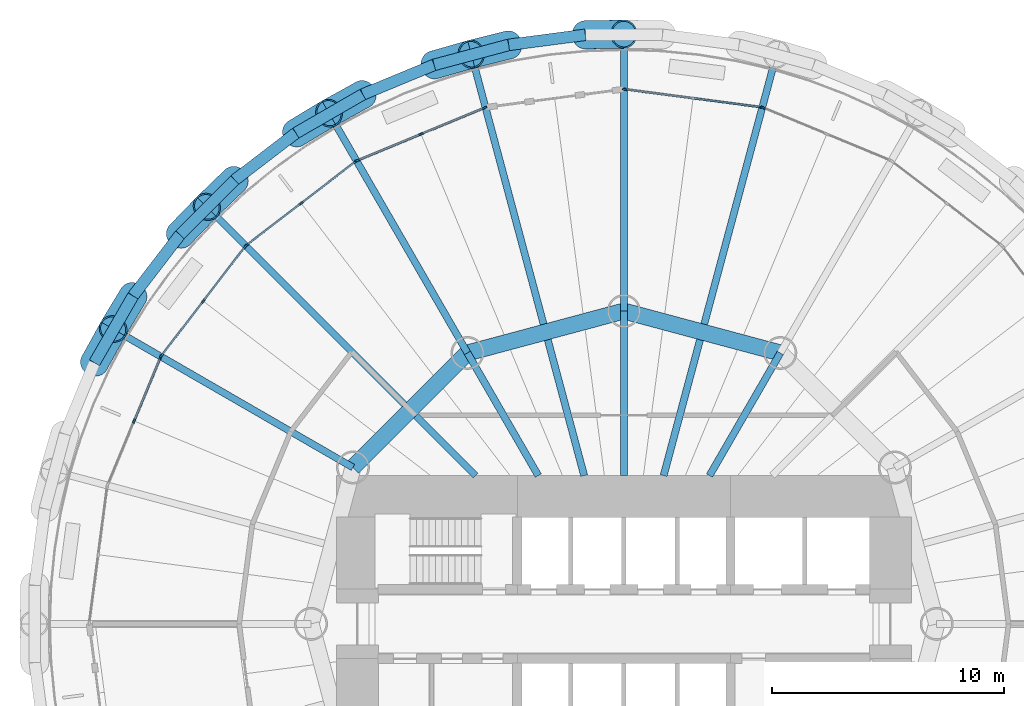
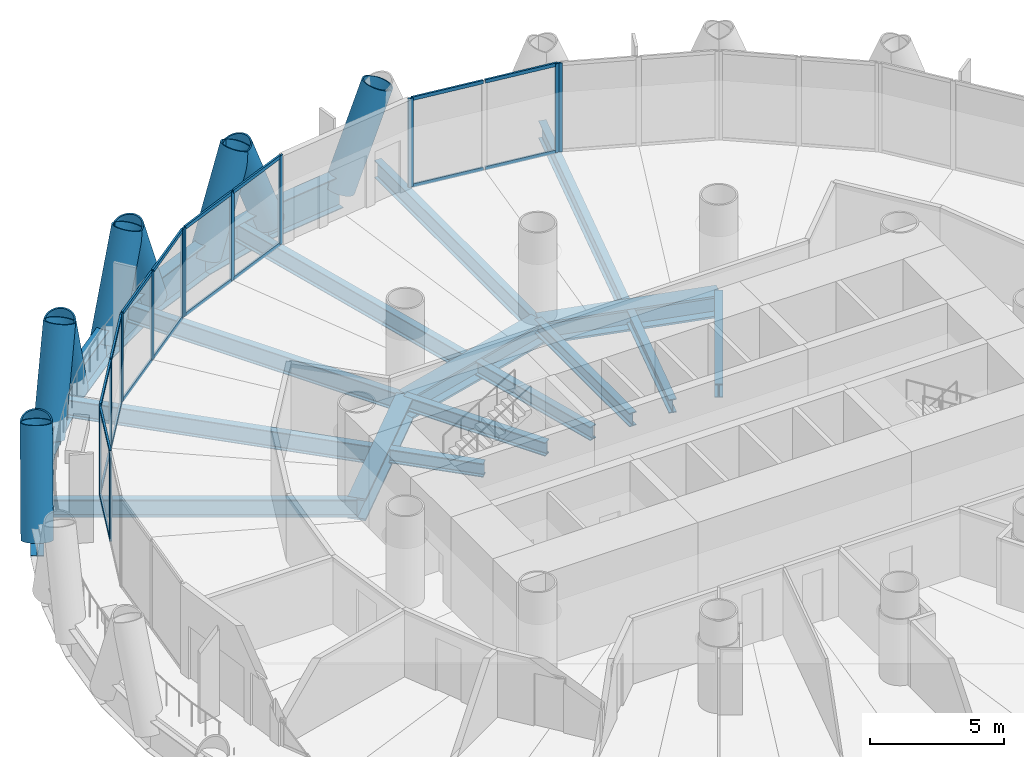
# One storey, part 6 of 16: 41 members, 23 beams, 6 elements without a shape of their own.
"""IFC4 building model written with IfcOpenShell, lengths in metres."""

from ifc_helpers import new_model, si_unit, direction, frame, origin, origin_2d, place, context, subcontext, project, spatial, rectangle, hollow_circle, i_section, extrude, material, material_profile, profile_set, type_object, element, aggregate, save


model = new_model("IFC4")

# Units and contexts
model_context = context("Model", 3, precision=1e-05, world=origin(), true_north=direction((0.0, 1.0)))
body_context = subcontext(model_context, "Body", "Model", "MODEL_VIEW")
ifc_project = project(units=[si_unit("LENGTHUNIT", "METRE"), si_unit("AREAUNIT", "SQUARE_METRE"), si_unit("VOLUMEUNIT", "CUBIC_METRE"), si_unit("PLANEANGLEUNIT", "RADIAN"), si_unit("MASSUNIT", "GRAM", prefix="KILO")], contexts=[model_context])

# Site, building, storey
site_placement = place(None, origin())
site = spatial("IfcSite", under=ifc_project, at=site_placement, CompositionType="ELEMENT")
building_placement = place(site_placement, origin())
building = spatial("IfcBuilding", under=site, at=building_placement, Name="Qaws Media Tower", CompositionType="ELEMENT")
storey_placement = place(building_placement, frame((0.0, 0.0, 89.0)))
storey = spatial("IfcBuildingStorey", under=building, at=storey_placement, Name="L19", CompositionType="ELEMENT", Elevation=89.0)

# Curtain wall, member
ifc_material_1 = material(Name="Aluminium and clear glass", Category="aluminium")
curtain_wall_type = type_object("IfcCurtainWallType", Name="Unitised curtain wall CW-A", PredefinedType="NOTDEFINED", material=ifc_material_1)
curtain_wall_1_placement = place(storey_placement, origin())
curtain_wall_1 = element("IfcCurtainWall", 1, at=curtain_wall_1_placement, inside=storey, type_object=curtain_wall_type, Name="CWA curtain wall L19-05", PredefinedType="NOTDEFINED")
ifc_material_2 = material(Name="Aluminium mullion", Category="aluminium")
ifc_material_profile_1 = material_profile(ifc_material_2, rectangle(XDim=0.080078125, YDim=0.199951171875, at=origin_2d()), Name="80x200")
ifc_profile_set_1 = profile_set([ifc_material_profile_1], Name="Aluminium mullion")
member_type_1 = type_object("IfcMemberType", Name="Curtain wall mullion 80x200", PredefinedType="MULLION", material=ifc_profile_set_1)
member_1_placement = place(storey_placement, frame((66.00927734375, 72.2734375, 0.0), z_axis=(0.0, 0.0, 1.0), x_axis=(-0.382683369704, -0.923879558466, 0.0)))
member_1 = element("IfcMember", 2, at=member_1_placement, type_object=member_type_1, Name="CWA mullion 3", PredefinedType="MULLION", context=body_context, shape_type="SweptSolid", body=[
    extrude(rectangle(XDim=0.080078125, YDim=0.199951171875, at=origin_2d()), origin(), (0.0, 0.0, 1.0), 4.0400390625),
])
aggregate(curtain_wall_1, [member_1])

# Curtain wall, members
curtain_wall_2_placement = place(storey_placement, origin())
curtain_wall_2 = element("IfcCurtainWall", 3, at=curtain_wall_2_placement, inside=storey, type_object=curtain_wall_type, Name="CWA curtain wall L19-06", PredefinedType="NOTDEFINED")
member_2_placement = place(storey_placement, frame((65.9326171875, 72.2939453125, 0.0), z_axis=(0.0, 0.0, 1.0), x_axis=(-0.130526274293, -0.991444850569, 0.0)))
member_2 = element("IfcMember", 4, at=member_2_placement, type_object=member_type_1, Name="CWA mullion 1", PredefinedType="MULLION", context=body_context, shape_type="SweptSolid", body=[
    extrude(rectangle(XDim=0.080078125, YDim=0.199951171875, at=origin_2d()), origin(), (0.0, 0.0, 1.0), 4.0400390625),
])
member_3_placement = place(storey_placement, frame((60.03955078125, 73.06982421875, 0.0), z_axis=(0.0, 0.0, 1.0), x_axis=(-0.130526274293, -0.991444850569, 0.0)))
member_3 = element("IfcMember", 5, at=member_3_placement, type_object=member_type_1, Name="CWA mullion 3", PredefinedType="MULLION", context=body_context, shape_type="SweptSolid", body=[
    extrude(rectangle(XDim=0.080078125, YDim=0.199951171875, at=origin_2d()), origin(), (0.0, 0.0, 1.0), 4.0400390625),
])

curtain_wall_3_placement = place(storey_placement, origin())
curtain_wall_3 = element("IfcCurtainWall", 6, at=curtain_wall_3_placement, inside=storey, type_object=curtain_wall_type, Name="CWA curtain wall L19-08", PredefinedType="NOTDEFINED")
member_4_placement = place(storey_placement, frame((53.99072265625, 72.2734375, 0.0), z_axis=(0.0, 0.0, 1.0), x_axis=(0.382683369704, -0.923879558466, 0.0)))
member_4 = element("IfcMember", 7, at=member_4_placement, type_object=member_type_1, Name="CWA mullion 1", PredefinedType="MULLION", context=body_context, shape_type="SweptSolid", body=[
    extrude(rectangle(XDim=0.080078125, YDim=0.199951171875, at=origin_2d()), origin(), (0.0, 0.0, 1.0), 4.0400390625),
])
member_5_placement = place(storey_placement, frame((51.2451171875, 71.13623046875, 0.0), z_axis=(0.0, 0.0, 1.0), x_axis=(0.382683369704, -0.923879558466, 0.0)))
member_5 = element("IfcMember", 8, at=member_5_placement, type_object=member_type_1, Name="CWA mullion 2", PredefinedType="MULLION", context=body_context, shape_type="SweptSolid", body=[
    extrude(rectangle(XDim=0.080078125, YDim=0.199951171875, at=origin_2d()), origin(), (0.0, 0.0, 1.0), 4.0400390625),
])
member_6_placement = place(storey_placement, frame((48.49951171875, 69.998779296875, 0.0), z_axis=(0.0, 0.0, 1.0), x_axis=(0.382683369704, -0.923879558466, 0.0)))
member_6 = element("IfcMember", 9, at=member_6_placement, type_object=member_type_1, Name="CWA mullion 3", PredefinedType="MULLION", context=body_context, shape_type="SweptSolid", body=[
    extrude(rectangle(XDim=0.080078125, YDim=0.199951171875, at=origin_2d()), origin(), (0.0, 0.0, 1.0), 4.0400390625),
])

curtain_wall_4_placement = place(storey_placement, origin())
curtain_wall_4 = element("IfcCurtainWall", 10, at=curtain_wall_4_placement, inside=storey, type_object=curtain_wall_type, Name="CWA curtain wall L19-09", PredefinedType="NOTDEFINED")
member_7_placement = place(storey_placement, frame((48.4306640625, 69.959228515625, 0.0), z_axis=(0.0, 0.0, 1.0), x_axis=(0.608761404459, -0.793353359129, 0.0)))
member_7 = element("IfcMember", 11, at=member_7_placement, type_object=member_type_1, Name="CWA mullion 1", PredefinedType="MULLION", context=body_context, shape_type="SweptSolid", body=[
    extrude(rectangle(XDim=0.080078125, YDim=0.199951171875, at=origin_2d()), origin(), (0.0, 0.0, 1.0), 4.0400390625),
])
member_8_placement = place(storey_placement, frame((46.072998046875, 68.14990234375, 0.0), z_axis=(0.0, 0.0, 1.0), x_axis=(0.608761404459, -0.793353359129, 0.0)))
member_8 = element("IfcMember", 12, at=member_8_placement, type_object=member_type_1, Name="CWA mullion 2", PredefinedType="MULLION", context=body_context, shape_type="SweptSolid", body=[
    extrude(rectangle(XDim=0.080078125, YDim=0.199951171875, at=origin_2d()), origin(), (0.0, 0.0, 1.0), 4.0400390625),
])
member_9_placement = place(storey_placement, frame((43.71533203125, 66.3408203125, 0.0), z_axis=(0.0, 0.0, 1.0), x_axis=(0.608761404459, -0.793353359129, 0.0)))
member_9 = element("IfcMember", 13, at=member_9_placement, type_object=member_type_1, Name="CWA mullion 3", PredefinedType="MULLION", context=body_context, shape_type="SweptSolid", body=[
    extrude(rectangle(XDim=0.080078125, YDim=0.199951171875, at=origin_2d()), origin(), (0.0, 0.0, 1.0), 4.0400390625),
])

curtain_wall_5_placement = place(storey_placement, origin())
curtain_wall_5 = element("IfcCurtainWall", 14, at=curtain_wall_5_placement, inside=storey, type_object=curtain_wall_type, Name="CWA curtain wall L19-10", PredefinedType="NOTDEFINED")
member_10_placement = place(storey_placement, frame((43.6591796875, 66.28466796875, 0.0), z_axis=(0.0, 0.0, 1.0), x_axis=(0.793353359129, -0.608761404459, 0.0)))
member_10 = element("IfcMember", 15, at=member_10_placement, type_object=member_type_1, Name="CWA mullion 1", PredefinedType="MULLION", context=body_context, shape_type="SweptSolid", body=[
    extrude(rectangle(XDim=0.080078125, YDim=0.199951171875, at=origin_2d()), origin(), (0.0, 0.0, 1.0), 4.0400390625),
])
member_11_placement = place(storey_placement, frame((41.85009765625, 63.927001953125, 0.0), z_axis=(0.0, 0.0, 1.0), x_axis=(0.793353359129, -0.608761404459, 0.0)))
member_11 = element("IfcMember", 16, at=member_11_placement, type_object=member_type_1, Name="CWA mullion 2", PredefinedType="MULLION", context=body_context, shape_type="SweptSolid", body=[
    extrude(rectangle(XDim=0.080078125, YDim=0.199951171875, at=origin_2d()), origin(), (0.0, 0.0, 1.0), 4.0400390625),
])
member_12_placement = place(storey_placement, frame((40.040771484375, 61.5693359375, 0.0), z_axis=(0.0, 0.0, 1.0), x_axis=(0.793353359129, -0.608761404459, 0.0)))
member_12 = element("IfcMember", 17, at=member_12_placement, type_object=member_type_1, Name="CWA mullion 3", PredefinedType="MULLION", context=body_context, shape_type="SweptSolid", body=[
    extrude(rectangle(XDim=0.080078125, YDim=0.199951171875, at=origin_2d()), origin(), (0.0, 0.0, 1.0), 4.0400390625),
])

curtain_wall_6_placement = place(storey_placement, origin())
curtain_wall_6 = element("IfcCurtainWall", 18, at=curtain_wall_6_placement, inside=storey, type_object=curtain_wall_type, Name="CWA curtain wall L19-11", PredefinedType="NOTDEFINED")
member_13_placement = place(storey_placement, frame((40.001220703125, 61.50048828125, 0.0), z_axis=(0.0, 0.0, 1.0), x_axis=(0.923879558466, -0.382683369704, 0.0)))
member_13 = element("IfcMember", 19, at=member_13_placement, type_object=member_type_1, Name="CWA mullion 1", PredefinedType="MULLION", context=body_context, shape_type="SweptSolid", body=[
    extrude(rectangle(XDim=0.080078125, YDim=0.199951171875, at=origin_2d()), origin(), (0.0, 0.0, 1.0), 4.0400390625),
])
member_14_placement = place(storey_placement, frame((38.86376953125, 58.7548828125, 0.0), z_axis=(0.0, 0.0, 1.0), x_axis=(0.923879558466, -0.382683369704, 0.0)))
member_14 = element("IfcMember", 20, at=member_14_placement, type_object=member_type_1, Name="CWA mullion 2", PredefinedType="MULLION", context=body_context, shape_type="SweptSolid", body=[
    extrude(rectangle(XDim=0.080078125, YDim=0.199951171875, at=origin_2d()), origin(), (0.0, 0.0, 1.0), 4.0400390625),
])

# Member
ifc_material_3 = material(Name="Aluminium transom", Category="aluminium")
ifc_material_profile_2 = material_profile(ifc_material_3, rectangle(XDim=0.080078125, YDim=0.159912109375, at=origin_2d()), Name="80x160")
ifc_profile_set_2 = profile_set([ifc_material_profile_2], Name="Aluminium transom")
member_type_2 = type_object("IfcMemberType", Name="Curtain wall transom 80x160", PredefinedType="USERDEFINED", material=ifc_profile_set_2)
member_15_placement = place(storey_placement, frame((65.892822265625, 72.299072265625, 0.0400390625), z_axis=(-0.991433880547, 0.130609572784, 0.0), x_axis=(-0.130609572784, -0.991433880547, 0.0)))
member_15 = element("IfcMember", 21, at=member_15_placement, type_object=member_type_2, Name="CWA transom 1.1", ObjectType="TRANSOM", PredefinedType="USERDEFINED", context=body_context, shape_type="SweptSolid", body=[
    extrude(rectangle(XDim=0.080078125, YDim=0.159912109375, at=origin_2d()), origin(), (0.0, 0.0, 1.0), 2.8916015625),
])

member_16_placement = place(storey_placement, frame((65.892822265625, 72.299072265625, 4.0), z_axis=(-0.991433880547, 0.130609572784, 0.0), x_axis=(-0.130609572784, -0.991433880547, 0.0)))
member_16 = element("IfcMember", 22, at=member_16_placement, type_object=member_type_2, Name="CWA transom 1.2", ObjectType="TRANSOM", PredefinedType="USERDEFINED", context=body_context, shape_type="SweptSolid", body=[
    extrude(rectangle(XDim=0.080078125, YDim=0.159912109375, at=origin_2d()), origin(), (0.0, 0.0, 1.0), 2.8916015625),
])

member_17_placement = place(storey_placement, frame((62.946533203125, 72.68701171875, 0.0400390625), z_axis=(-0.99144624804, 0.130515659015, 0.0), x_axis=(-0.130515659015, -0.99144624804, 0.0)))
member_17 = element("IfcMember", 23, at=member_17_placement, type_object=member_type_2, Name="CWA transom 2.1", ObjectType="TRANSOM", PredefinedType="USERDEFINED", context=body_context, shape_type="SweptSolid", body=[
    extrude(rectangle(XDim=0.080078125, YDim=0.159912109375, at=origin_2d()), origin(), (0.0, 0.0, 1.0), 2.891845703125),
])

member_18_placement = place(storey_placement, frame((62.946533203125, 72.68701171875, 4.0), z_axis=(-0.99144624804, 0.130515659015, 0.0), x_axis=(-0.130515659015, -0.99144624804, 0.0)))
member_18 = element("IfcMember", 24, at=member_18_placement, type_object=member_type_2, Name="CWA transom 2.2", ObjectType="TRANSOM", PredefinedType="USERDEFINED", context=body_context, shape_type="SweptSolid", body=[
    extrude(rectangle(XDim=0.080078125, YDim=0.159912109375, at=origin_2d()), origin(), (0.0, 0.0, 1.0), 2.891845703125),
])

aggregate(curtain_wall_2, [member_2, member_3, member_15, member_16, member_17, member_18])

member_19_placement = place(storey_placement, frame((53.953857421875, 72.258056640625, 0.0400390625), z_axis=(-0.923884105755, -0.382672391391, 0.0), x_axis=(0.382672391391, -0.923884105755, 0.0)))
member_19 = element("IfcMember", 25, at=member_19_placement, type_object=member_type_2, Name="CWA transom 1.1", ObjectType="TRANSOM", PredefinedType="USERDEFINED", context=body_context, shape_type="SweptSolid", body=[
    extrude(rectangle(XDim=0.080078125, YDim=0.159912109375, at=origin_2d()), origin(), (0.0, 0.0, 1.0), 2.89208984375),
])

member_20_placement = place(storey_placement, frame((53.953857421875, 72.258056640625, 4.0), z_axis=(-0.923884105755, -0.382672391391, 0.0), x_axis=(0.382672391391, -0.923884105755, 0.0)))
member_20 = element("IfcMember", 26, at=member_20_placement, type_object=member_type_2, Name="CWA transom 1.2", ObjectType="TRANSOM", PredefinedType="USERDEFINED", context=body_context, shape_type="SweptSolid", body=[
    extrude(rectangle(XDim=0.080078125, YDim=0.159912109375, at=origin_2d()), origin(), (0.0, 0.0, 1.0), 2.89208984375),
])

member_21_placement = place(storey_placement, frame((51.208251953125, 71.120849609375, 0.0400390625), z_axis=(-0.923884105755, -0.382672391391, 0.0), x_axis=(0.382672391391, -0.923884105755, 0.0)))
member_21 = element("IfcMember", 27, at=member_21_placement, type_object=member_type_2, Name="CWA transom 2.1", ObjectType="TRANSOM", PredefinedType="USERDEFINED", context=body_context, shape_type="SweptSolid", body=[
    extrude(rectangle(XDim=0.080078125, YDim=0.159912109375, at=origin_2d()), origin(), (0.0, 0.0, 1.0), 2.89208984375),
])

member_22_placement = place(storey_placement, frame((51.208251953125, 71.120849609375, 4.0), z_axis=(-0.923884105755, -0.382672391391, 0.0), x_axis=(0.382672391391, -0.923884105755, 0.0)))
member_22 = element("IfcMember", 28, at=member_22_placement, type_object=member_type_2, Name="CWA transom 2.2", ObjectType="TRANSOM", PredefinedType="USERDEFINED", context=body_context, shape_type="SweptSolid", body=[
    extrude(rectangle(XDim=0.080078125, YDim=0.159912109375, at=origin_2d()), origin(), (0.0, 0.0, 1.0), 2.89208984375),
])

aggregate(curtain_wall_3, [member_4, member_5, member_6, member_19, member_20, member_21, member_22])

member_23_placement = place(storey_placement, frame((48.39892578125, 69.934814453125, 0.0400390625), z_axis=(-0.793335876774, -0.608784187232, 0.0), x_axis=(0.608784187232, -0.793335876774, 0.0)))
member_23 = element("IfcMember", 29, at=member_23_placement, type_object=member_type_2, Name="CWA transom 1.1", ObjectType="TRANSOM", PredefinedType="USERDEFINED", context=body_context, shape_type="SweptSolid", body=[
    extrude(rectangle(XDim=0.080078125, YDim=0.159912109375, at=origin_2d()), origin(), (0.0, 0.0, 1.0), 2.891845703125),
])

member_24_placement = place(storey_placement, frame((48.39892578125, 69.934814453125, 4.0), z_axis=(-0.793335876774, -0.608784187232, 0.0), x_axis=(0.608784187232, -0.793335876774, 0.0)))
member_24 = element("IfcMember", 30, at=member_24_placement, type_object=member_type_2, Name="CWA transom 1.2", ObjectType="TRANSOM", PredefinedType="USERDEFINED", context=body_context, shape_type="SweptSolid", body=[
    extrude(rectangle(XDim=0.080078125, YDim=0.159912109375, at=origin_2d()), origin(), (0.0, 0.0, 1.0), 2.891845703125),
])

member_25_placement = place(storey_placement, frame((46.041259765625, 68.125732421875, 0.0400390625), z_axis=(-0.793335876774, -0.608784187232, 0.0), x_axis=(0.608784187232, -0.793335876774, 0.0)))
member_25 = element("IfcMember", 31, at=member_25_placement, type_object=member_type_2, Name="CWA transom 2.1", ObjectType="TRANSOM", PredefinedType="USERDEFINED", context=body_context, shape_type="SweptSolid", body=[
    extrude(rectangle(XDim=0.080078125, YDim=0.159912109375, at=origin_2d()), origin(), (0.0, 0.0, 1.0), 2.891845703125),
])

member_26_placement = place(storey_placement, frame((46.041259765625, 68.125732421875, 4.0), z_axis=(-0.793335876774, -0.608784187232, 0.0), x_axis=(0.608784187232, -0.793335876774, 0.0)))
member_26 = element("IfcMember", 32, at=member_26_placement, type_object=member_type_2, Name="CWA transom 2.2", ObjectType="TRANSOM", PredefinedType="USERDEFINED", context=body_context, shape_type="SweptSolid", body=[
    extrude(rectangle(XDim=0.080078125, YDim=0.159912109375, at=origin_2d()), origin(), (0.0, 0.0, 1.0), 2.891845703125),
])

aggregate(curtain_wall_4, [member_7, member_8, member_9, member_23, member_24, member_25, member_26])

member_27_placement = place(storey_placement, frame((43.634765625, 66.2529296875, 0.0400390625), z_axis=(-0.608784187232, -0.793335876774, 0.0), x_axis=(0.793335876774, -0.608784187232, 0.0)))
member_27 = element("IfcMember", 33, at=member_27_placement, type_object=member_type_2, Name="CWA transom 1.1", ObjectType="TRANSOM", PredefinedType="USERDEFINED", context=body_context, shape_type="SweptSolid", body=[
    extrude(rectangle(XDim=0.080078125, YDim=0.159912109375, at=origin_2d()), origin(), (0.0, 0.0, 1.0), 2.891845703125),
])

member_28_placement = place(storey_placement, frame((43.634765625, 66.2529296875, 4.0), z_axis=(-0.608784187232, -0.793335876774, 0.0), x_axis=(0.793335876774, -0.608784187232, 0.0)))
member_28 = element("IfcMember", 34, at=member_28_placement, type_object=member_type_2, Name="CWA transom 1.2", ObjectType="TRANSOM", PredefinedType="USERDEFINED", context=body_context, shape_type="SweptSolid", body=[
    extrude(rectangle(XDim=0.080078125, YDim=0.159912109375, at=origin_2d()), origin(), (0.0, 0.0, 1.0), 2.891845703125),
])

member_29_placement = place(storey_placement, frame((41.82568359375, 63.895263671875, 0.0400390625), z_axis=(-0.608784187232, -0.793335876774, 0.0), x_axis=(0.793335876774, -0.608784187232, 0.0)))
member_29 = element("IfcMember", 35, at=member_29_placement, type_object=member_type_2, Name="CWA transom 2.1", ObjectType="TRANSOM", PredefinedType="USERDEFINED", context=body_context, shape_type="SweptSolid", body=[
    extrude(rectangle(XDim=0.080078125, YDim=0.159912109375, at=origin_2d()), origin(), (0.0, 0.0, 1.0), 2.891845703125),
])

member_30_placement = place(storey_placement, frame((41.82568359375, 63.895263671875, 4.0), z_axis=(-0.608784187232, -0.793335876774, 0.0), x_axis=(0.793335876774, -0.608784187232, 0.0)))
member_30 = element("IfcMember", 36, at=member_30_placement, type_object=member_type_2, Name="CWA transom 2.2", ObjectType="TRANSOM", PredefinedType="USERDEFINED", context=body_context, shape_type="SweptSolid", body=[
    extrude(rectangle(XDim=0.080078125, YDim=0.159912109375, at=origin_2d()), origin(), (0.0, 0.0, 1.0), 2.891845703125),
])

aggregate(curtain_wall_5, [member_10, member_11, member_12, member_27, member_28, member_29, member_30])

member_31_placement = place(storey_placement, frame((39.98583984375, 61.463623046875, 0.0400390625), z_axis=(-0.382672391391, -0.923884105755, 0.0), x_axis=(0.923884105755, -0.382672391391, 0.0)))
member_31 = element("IfcMember", 37, at=member_31_placement, type_object=member_type_2, Name="CWA transom 1.1", ObjectType="TRANSOM", PredefinedType="USERDEFINED", context=body_context, shape_type="SweptSolid", body=[
    extrude(rectangle(XDim=0.080078125, YDim=0.159912109375, at=origin_2d()), origin(), (0.0, 0.0, 1.0), 2.89208984375),
])

member_32_placement = place(storey_placement, frame((39.98583984375, 61.463623046875, 4.0), z_axis=(-0.382672391391, -0.923884105755, 0.0), x_axis=(0.923884105755, -0.382672391391, 0.0)))
member_32 = element("IfcMember", 38, at=member_32_placement, type_object=member_type_2, Name="CWA transom 1.2", ObjectType="TRANSOM", PredefinedType="USERDEFINED", context=body_context, shape_type="SweptSolid", body=[
    extrude(rectangle(XDim=0.080078125, YDim=0.159912109375, at=origin_2d()), origin(), (0.0, 0.0, 1.0), 2.89208984375),
])

aggregate(curtain_wall_6, [member_13, member_14, member_31, member_32])

# Members
ifc_material_4 = material(Name="Steel S460", Category="steel")
ifc_material_profile_3 = material_profile(ifc_material_4, hollow_circle(Radius=0.609619140625, WallThickness=0.06005859375, at=origin_2d()), Name="CHS 1219x60")
ifc_profile_set_3 = profile_set([ifc_material_profile_3], Name="Steel S460")
member_type_3 = type_object("IfcMemberType", Name="Diagrid member CHS 1219x60", PredefinedType="USERDEFINED", material=ifc_profile_set_3)
for number, where, z_axis, x_axis, name in (
    (39, (55.030029296875, 74.985595703125, -0.909912109375), (-0.357853731759, -0.089152749117, 0.929511965491), (0.241742662575, -0.970340396506, 0.0), "DG1 diagrid L19 A07"),
    (40, (58.333740234375, 75.42041015625, -0.909912109375), (0.368763540313, 0.006537785843, 0.929500246741), (-0.017726152148, 0.999842879422, 0.0), "DG1 diagrid L19 B07"),
    (41, (48.732666015625, 72.847900390625, -0.909912109375), (-0.322620613661, -0.178735386031, 0.929499651114), (0.484610207242, -0.874730213858, 0.0), "DG1 diagrid L19 A08"),
    (42, (51.811279296875, 74.123046875, -0.909912109375), (0.354500758165, 0.101741339373, 0.929504121736), (-0.275862541191, 0.961197096525, 0.0), "DG1 diagrid L19 B08"),
    (43, (43.203125, 69.153076171875, -0.909912109375), (-0.265351429728, -0.256111948057, 0.929513468866), (0.694468998313, -0.719522626734, 0.0), "DG1 diagrid L19 A09"),
):
    element("IfcMember", number, at=place(storey_placement, frame(where, z_axis=z_axis, x_axis=x_axis)), inside=storey, type_object=member_type_3, Name=name, ObjectType="DIAGRID", PredefinedType="USERDEFINED", context=body_context, shape_type="SweptSolid", body=[
        extrude(hollow_circle(Radius=0.609619140625, WallThickness=0.06005859375, at=origin_2d()), origin(), (0.0, 0.0, 1.0), 4.5185546875),
    ])
for number, where, z_axis, x_axis, name in (
    (44, (45.846923828125, 71.181640625, -0.909912109375), (0.316036004254, 0.190032249438, 0.929520837953), (-0.515314314631, 0.857001258538, 0.0), "DG1 diagrid L19 B09"),
    (45, (38.818359375, 64.153076171875, -0.909912109375), (-0.190032249438, -0.316036004254, 0.929520837953), (0.857001258538, -0.515314314631, 0.0), "DG1 diagrid L19 A10"),
):
    element("IfcMember", number, at=place(storey_placement, frame(where, z_axis=z_axis, x_axis=x_axis)), inside=storey, type_object=member_type_3, Name=name, ObjectType="DIAGRID", PredefinedType="USERDEFINED", context=body_context, shape_type="SweptSolid", body=[
        extrude(hollow_circle(Radius=0.609619140625, WallThickness=0.06005859375, at=origin_2d()), origin(), (0.0, 0.0, 1.0), 4.518310546875),
    ])
for number, where, z_axis, x_axis, name in (
    (46, (40.846923828125, 66.796875, -0.909912109375), (0.256111948057, 0.265351429728, 0.929513468866), (-0.719522626734, 0.694468998313, 0.0), "DG1 diagrid L19 B10"),
    (47, (37.152099609375, 61.267333984375, -0.909912109375), (0.178735386031, 0.322620613661, 0.929499651114), (-0.874730213858, 0.484610207242, 0.0), "DG1 diagrid L19 B11"),
):
    element("IfcMember", number, at=place(storey_placement, frame(where, z_axis=z_axis, x_axis=x_axis)), inside=storey, type_object=member_type_3, Name=name, ObjectType="DIAGRID", PredefinedType="USERDEFINED", context=body_context, shape_type="SweptSolid", body=[
        extrude(hollow_circle(Radius=0.609619140625, WallThickness=0.06005859375, at=origin_2d()), origin(), (0.0, 0.0, 1.0), 4.5185546875),
    ])

# Beams
ifc_material_5 = material(Name="Steel S460", Category="steel")
ifc_material_profile_4 = material_profile(ifc_material_5, i_section(OverallWidth=0.5, OverallDepth=1.5, WebThickness=0.02001953125, FlangeThickness=0.0400390625, at=origin_2d()), Name="PG 1500x500")
ifc_profile_set_4 = profile_set([ifc_material_profile_4], Name="Steel S460")
beam_type_1 = type_object("IfcBeamType", Name="Edge ring beam PG 1500x500", PredefinedType="BEAM", material=ifc_profile_set_4)
for number, where, z_axis, x_axis, name in (
    (48, (58.333740234375, 75.42041015625, -0.909912109375), (-0.991449806164, -0.130488627311, 0.0), (0.130488627311, -0.991449806164, 0.0), "RB4 edge ring beam L19-13"),
    (49, (55.030029296875, 74.985595703125, -0.909912109375), (-0.965919271608, -0.258843506265, 0.0), (0.258843506265, -0.965919271608, 0.0), "RB4 edge ring beam L19-14"),
    (50, (51.811279296875, 74.123046875, -0.909912109375), (-0.923885568465, -0.38266885996, 0.0), (0.38266885996, -0.923885568465, 0.0), "RB4 edge ring beam L19-15"),
    (51, (48.732666015625, 72.847900390625, -0.909912109375), (-0.866002566612, -0.500039553057, 0.0), (0.500039553057, -0.866002566612, 0.0), "RB4 edge ring beam L19-16"),
    (52, (45.846923828125, 71.181640625, -0.909912109375), (-0.793366925649, -0.608743723817, 0.0), (0.608743723817, -0.793366925649, 0.0), "RB4 edge ring beam L19-17"),
    (53, (43.203125, 69.153076171875, -0.909912109375), (-0.707106781187, -0.707106781187, 0.0), (0.707106781187, -0.707106781187, 0.0), "RB4 edge ring beam L19-18"),
    (54, (40.846923828125, 66.796875, -0.909912109375), (-0.608743723817, -0.793366925649, 0.0), (0.793366925649, -0.608743723817, 0.0), "RB4 edge ring beam L19-19"),
    (55, (38.818359375, 64.153076171875, -0.909912109375), (-0.500039553057, -0.866002566612, 0.0), (0.866002566612, -0.500039553057, 0.0), "RB4 edge ring beam L19-20"),
):
    element("IfcBeam", number, at=place(storey_placement, frame(where, z_axis=z_axis, x_axis=x_axis)), inside=storey, type_object=beam_type_1, Name=name, PredefinedType="BEAM", context=body_context, shape_type="SweptSolid", body=[
        extrude(i_section(OverallWidth=0.5, OverallDepth=1.5, WebThickness=0.02001953125, FlangeThickness=0.0400390625, at=origin_2d()), origin(), (0.0, 0.0, 1.0), 3.332275390625),
    ])
ifc_material_6 = material(Name="Steel S460", Category="steel")
ifc_material_profile_5 = material_profile(ifc_material_6, i_section(OverallWidth=0.699951171875, OverallDepth=1.0, WebThickness=0.034912109375, FlangeThickness=0.090087890625, at=origin_2d()), Name="PG 1000x700")
ifc_profile_set_5 = profile_set([ifc_material_profile_5], Name="Steel S460")
beam_type_2 = type_object("IfcBeamType", Name="Inner ring girder PG 1000x700", PredefinedType="BEAM", material=ifc_profile_set_5)
for number, where, z_axis, x_axis, name in (
    (56, (66.75, 61.69140625, -0.659912109375), (-0.965928090778, 0.258810593767, 0.0), (-0.258810593767, -0.965928090778, 0.0), "B3 inner ring beam L19 I03-I04"),
    (57, (60.0, 63.5, -0.659912109375), (-0.965928090778, -0.258810593767, 0.0), (0.258810593767, -0.965928090778, 0.0), "B3 inner ring beam L19 I04-I05"),
):
    element("IfcBeam", number, at=place(storey_placement, frame(where, z_axis=z_axis, x_axis=x_axis)), inside=storey, type_object=beam_type_2, Name=name, PredefinedType="BEAM", context=body_context, shape_type="SweptSolid", body=[
        extrude(i_section(OverallWidth=0.699951171875, OverallDepth=1.0, WebThickness=0.034912109375, FlangeThickness=0.090087890625, at=origin_2d()), origin(), (0.0, 0.0, 1.0), 6.988037109375),
    ])
beam_1_placement = place(storey_placement, frame((53.25, 61.69140625, -0.659912109375), z_axis=(-0.707106781187, -0.707106781187, 0.0), x_axis=(0.707106781187, -0.707106781187, 0.0)))
element("IfcBeam", 58, at=beam_1_placement, inside=storey, type_object=beam_type_2, Name="B3 inner ring beam L19 I05-I06", PredefinedType="BEAM", context=body_context, shape_type="SweptSolid", body=[
    extrude(i_section(OverallWidth=0.699951171875, OverallDepth=1.0, WebThickness=0.034912109375, FlangeThickness=0.090087890625, at=origin_2d()), origin(), (0.0, 0.0, 1.0), 6.98828125),
])
ifc_material_7 = material(Name="Steel S355", Category="steel")
ifc_material_profile_6 = material_profile(ifc_material_7, i_section(OverallWidth=0.304931640625, OverallDepth=0.6201171875, WebThickness=0.02099609375, FlangeThickness=0.0400390625, FilletRadius=0.027099609375, at=origin_2d()), Name="HE 600 M")
ifc_profile_set_6 = profile_set([ifc_material_profile_6], Name="Steel S355")
beam_type_3 = type_object("IfcBeamType", Name="Radial beam HE 600 M, core side", PredefinedType="BEAM", material=ifc_profile_set_6)
beam_2_placement = place(storey_placement, frame((63.695068359375, 56.39990234375, -0.469970703125), z_axis=(0.49998532359, 0.866033877048, 0.0), x_axis=(-0.866033877048, 0.49998532359, 0.0)))
element("IfcBeam", 59, at=beam_2_placement, inside=storey, type_object=beam_type_3, Name="B2 radial beam L19 05", PredefinedType="BEAM", context=body_context, shape_type="SweptSolid", body=[
    extrude(i_section(OverallWidth=0.304931640625, OverallDepth=0.6201171875, WebThickness=0.02099609375, FlangeThickness=0.0400390625, FilletRadius=0.027099609375, at=origin_2d()), origin(), (0.0, 0.0, 1.0), 6.110107421875),
])
beam_3_placement = place(storey_placement, frame((61.71484375, 56.39990234375, -0.469970703125), z_axis=(0.258822614448, 0.965924869879, 0.0), x_axis=(-0.965924869879, 0.258822614448, 0.0)))
element("IfcBeam", 60, at=beam_3_placement, inside=storey, type_object=beam_type_3, Name="B2 radial beam L19 06", PredefinedType="BEAM", context=body_context, shape_type="SweptSolid", body=[
    extrude(i_section(OverallWidth=0.304931640625, OverallDepth=0.6201171875, WebThickness=0.02099609375, FlangeThickness=0.0400390625, FilletRadius=0.027099609375, at=origin_2d()), origin(), (0.0, 0.0, 1.0), 6.064208984375),
])
beam_4_placement = place(storey_placement, frame((60.0, 56.39990234375, -0.469970703125), z_axis=(0.0, 1.0, 0.0), x_axis=(-1.0, 0.0, 0.0)))
element("IfcBeam", 61, at=beam_4_placement, inside=storey, type_object=beam_type_3, Name="B2 radial beam L19 07", PredefinedType="BEAM", context=body_context, shape_type="SweptSolid", body=[
    extrude(i_section(OverallWidth=0.304931640625, OverallDepth=0.6201171875, WebThickness=0.02099609375, FlangeThickness=0.0400390625, FilletRadius=0.027099609375, at=origin_2d()), origin(), (0.0, 0.0, 1.0), 7.10009765625),
])
beam_5_placement = place(storey_placement, frame((58.28515625, 56.39990234375, -0.469970703125), z_axis=(-0.258822614448, 0.965924869879, 0.0), x_axis=(-0.965924869879, -0.258822614448, 0.0)))
element("IfcBeam", 62, at=beam_5_placement, inside=storey, type_object=beam_type_3, Name="B2 radial beam L19 08", PredefinedType="BEAM", context=body_context, shape_type="SweptSolid", body=[
    extrude(i_section(OverallWidth=0.304931640625, OverallDepth=0.6201171875, WebThickness=0.02099609375, FlangeThickness=0.0400390625, FilletRadius=0.027099609375, at=origin_2d()), origin(), (0.0, 0.0, 1.0), 6.064208984375),
])
beam_6_placement = place(storey_placement, frame((56.304931640625, 56.39990234375, -0.469970703125), z_axis=(-0.49998532359, 0.866033877048, 0.0), x_axis=(-0.866033877048, -0.49998532359, 0.0)))
element("IfcBeam", 63, at=beam_6_placement, inside=storey, type_object=beam_type_3, Name="B2 radial beam L19 09", PredefinedType="BEAM", context=body_context, shape_type="SweptSolid", body=[
    extrude(i_section(OverallWidth=0.304931640625, OverallDepth=0.6201171875, WebThickness=0.02099609375, FlangeThickness=0.0400390625, FilletRadius=0.027099609375, at=origin_2d()), origin(), (0.0, 0.0, 1.0), 6.110107421875),
])
beam_7_placement = place(storey_placement, frame((53.60009765625, 56.39990234375, -0.469970703125), z_axis=(-0.707106781187, 0.707106781187, 0.0), x_axis=(-0.707106781187, -0.707106781187, 0.0)))
element("IfcBeam", 64, at=beam_7_placement, inside=storey, type_object=beam_type_3, Name="B2 radial beam L19 10", PredefinedType="BEAM", context=body_context, shape_type="SweptSolid", body=[
    extrude(i_section(OverallWidth=0.304931640625, OverallDepth=0.6201171875, WebThickness=0.02099609375, FlangeThickness=0.0400390625, FilletRadius=0.027099609375, at=origin_2d()), origin(), (0.0, 0.0, 1.0), 3.63916015625),
])
ifc_material_8 = material(Name="Steel S355", Category="steel")
ifc_material_profile_7 = material_profile(ifc_material_8, i_section(OverallWidth=0.300048828125, OverallDepth=0.800048828125, WebThickness=0.017578125, FlangeThickness=0.032958984375, FilletRadius=0.030029296875, at=origin_2d()), Name="HE 800 B")
ifc_profile_set_7 = profile_set([ifc_material_profile_7], Name="Steel S355")
beam_type_4 = type_object("IfcBeamType", Name="Radial beam HE 800 B", PredefinedType="BEAM", material=ifc_profile_set_7)
beam_8_placement = place(storey_placement, frame((63.465576171875, 62.933837890625, -0.56005859375), z_axis=(0.258827040847, 0.9659236838, 0.0), x_axis=(-0.9659236838, 0.258827040847, 0.0)))
element("IfcBeam", 65, at=beam_8_placement, inside=storey, type_object=beam_type_4, Name="B1 radial beam L19 06", PredefinedType="BEAM", context=body_context, shape_type="SweptSolid", body=[
    extrude(i_section(OverallWidth=0.300048828125, OverallDepth=0.800048828125, WebThickness=0.017578125, FlangeThickness=0.032958984375, FilletRadius=0.030029296875, at=origin_2d()), origin(), (0.0, 0.0, 1.0), 12.0302734375),
])
beam_9_placement = place(storey_placement, frame((60.0, 63.5, -0.56005859375), z_axis=(0.0, 1.0, 0.0), x_axis=(-1.0, 0.0, 0.0)))
element("IfcBeam", 66, at=beam_9_placement, inside=storey, type_object=beam_type_4, Name="B1 radial beam L19 07", PredefinedType="BEAM", context=body_context, shape_type="SweptSolid", body=[
    extrude(i_section(OverallWidth=0.300048828125, OverallDepth=0.800048828125, WebThickness=0.017578125, FlangeThickness=0.032958984375, FilletRadius=0.030029296875, at=origin_2d()), origin(), (0.0, 0.0, 1.0), 11.92041015625),
])
beam_10_placement = place(storey_placement, frame((56.534423828125, 62.933837890625, -0.56005859375), z_axis=(-0.258827040847, 0.9659236838, 0.0), x_axis=(-0.9659236838, -0.258827040847, 0.0)))
element("IfcBeam", 67, at=beam_10_placement, inside=storey, type_object=beam_type_4, Name="B1 radial beam L19 08", PredefinedType="BEAM", context=body_context, shape_type="SweptSolid", body=[
    extrude(i_section(OverallWidth=0.300048828125, OverallDepth=0.800048828125, WebThickness=0.017578125, FlangeThickness=0.032958984375, FilletRadius=0.030029296875, at=origin_2d()), origin(), (0.0, 0.0, 1.0), 12.0302734375),
])
beam_11_placement = place(storey_placement, frame((53.25, 61.69140625, -0.56005859375), z_axis=(-0.500004934157, 0.866022555029, 0.0), x_axis=(-0.866022555029, -0.500004934157, 0.0)))
element("IfcBeam", 68, at=beam_11_placement, inside=storey, type_object=beam_type_4, Name="B1 radial beam L19 09", PredefinedType="BEAM", context=body_context, shape_type="SweptSolid", body=[
    extrude(i_section(OverallWidth=0.300048828125, OverallDepth=0.800048828125, WebThickness=0.017578125, FlangeThickness=0.032958984375, FilletRadius=0.030029296875, at=origin_2d()), origin(), (0.0, 0.0, 1.0), 11.92041015625),
])
beam_12_placement = place(storey_placement, frame((50.53173828125, 59.46826171875, -0.56005859375), z_axis=(-0.707106781187, 0.707106781187, 0.0), x_axis=(-0.707106781187, -0.707106781187, 0.0)))
element("IfcBeam", 69, at=beam_12_placement, inside=storey, type_object=beam_type_4, Name="B1 radial beam L19 10", PredefinedType="BEAM", context=body_context, shape_type="SweptSolid", body=[
    extrude(i_section(OverallWidth=0.300048828125, OverallDepth=0.800048828125, WebThickness=0.017578125, FlangeThickness=0.032958984375, FilletRadius=0.030029296875, at=origin_2d()), origin(), (0.0, 0.0, 1.0), 12.030517578125),
])
beam_13_placement = place(storey_placement, frame((48.30859375, 56.75, -0.56005859375), z_axis=(-0.866022555029, 0.500004934157, 0.0), x_axis=(-0.500004934157, -0.866022555029, 0.0)))
element("IfcBeam", 70, at=beam_13_placement, inside=storey, type_object=beam_type_4, Name="B1 radial beam L19 11", PredefinedType="BEAM", context=body_context, shape_type="SweptSolid", body=[
    extrude(i_section(OverallWidth=0.300048828125, OverallDepth=0.800048828125, WebThickness=0.017578125, FlangeThickness=0.032958984375, FilletRadius=0.030029296875, at=origin_2d()), origin(), (0.0, 0.0, 1.0), 11.92041015625),
])

save(model, "model.ifc")
